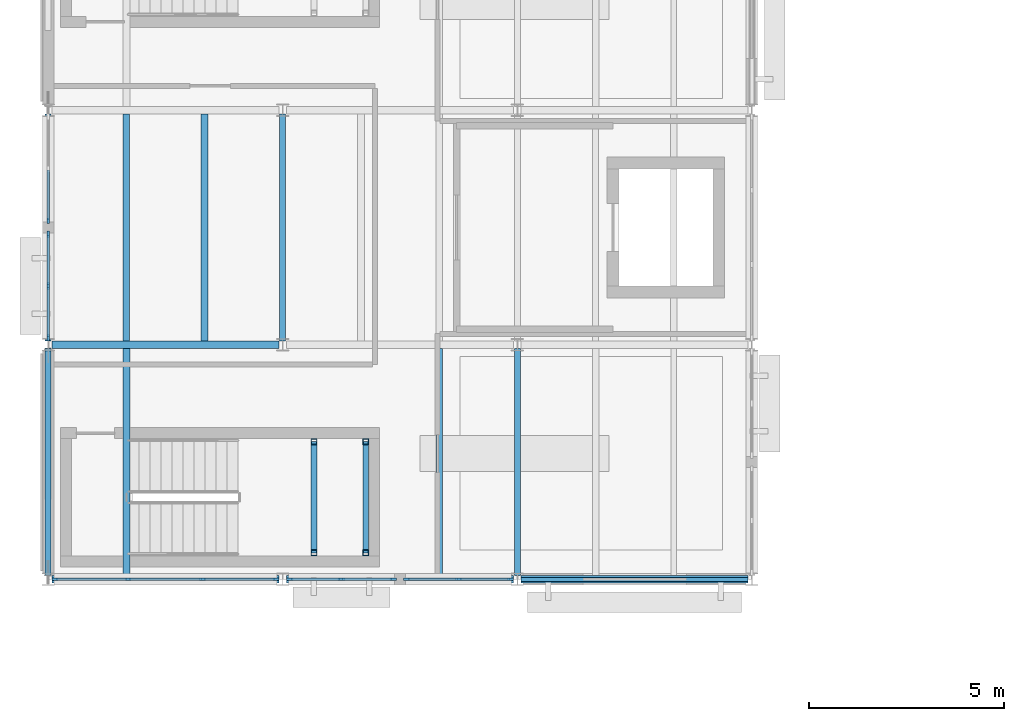
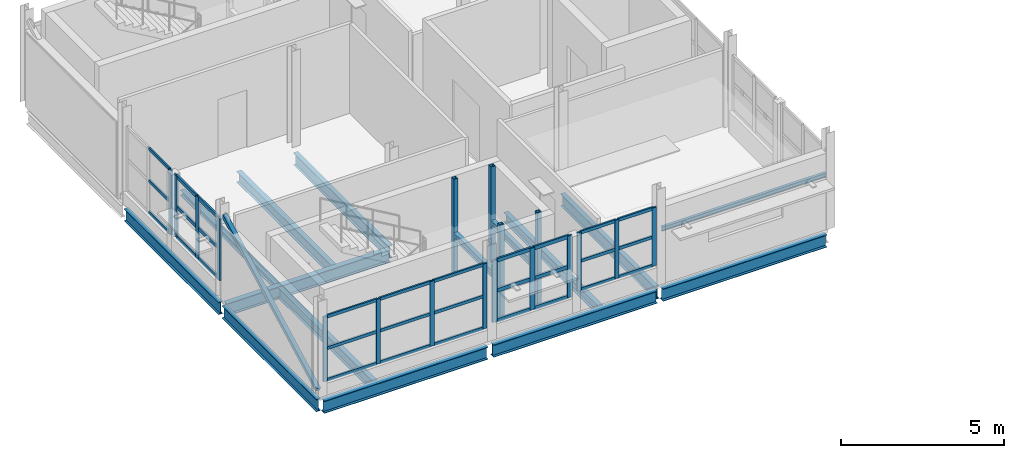
# One storey, part 3 of 20: 49 members, 15 beams, 5 elements without a shape of their own.
"""IFC4 building model written with IfcOpenShell, lengths in metres."""

from ifc_helpers import new_model, si_unit, direction, frame, origin, origin_2d, place, context, subcontext, project, spatial, rectangle, hollow_rectangle, i_section, extrude, material, material_profile, profile_set, type_object, element, aggregate, save


model = new_model("IFC4")

# Units and contexts
model_context = context("Model", 3, precision=1e-05, world=origin(), true_north=direction((0.0, 1.0)))
body_context = subcontext(model_context, "Body", "Model", "MODEL_VIEW")
ifc_project = project(units=[si_unit("LENGTHUNIT", "METRE"), si_unit("AREAUNIT", "SQUARE_METRE"), si_unit("VOLUMEUNIT", "CUBIC_METRE"), si_unit("PLANEANGLEUNIT", "RADIAN"), si_unit("MASSUNIT", "GRAM", prefix="KILO")], contexts=[model_context])

# Site, building, storey
site_placement = place(None, origin())
site = spatial("IfcSite", under=ifc_project, at=site_placement, CompositionType="ELEMENT")
building_placement = place(site_placement, origin())
building = spatial("IfcBuilding", under=site, at=building_placement, Name="Siltcreek Boulevard Central Fire Station", CompositionType="ELEMENT")
storey_placement = place(building_placement, frame((0.0, 0.0, 18.0)))
storey = spatial("IfcBuildingStorey", under=building, at=storey_placement, Name="L05", CompositionType="ELEMENT", Elevation=18.0)

# Beams
ifc_material_1 = material(Name="Structural steel ASTM A992 Gr50", Category="steel")
ifc_material_profile_1 = material_profile(ifc_material_1, i_section(OverallWidth=0.154052734375, OverallDepth=0.458984375, WebThickness=0.009033203125, FlangeThickness=0.015380859375, at=origin_2d()), Name="W460X68")
ifc_profile_set_1 = profile_set([ifc_material_profile_1], Name="Structural steel ASTM A992 Gr50")
beam_type_1 = type_object("IfcBeamType", Name="BM_W460X68", PredefinedType="BEAM", material=ifc_profile_set_1)
for number, where, z_axis, x_axis, name in (
    (1, (42.0, 94.300048828125, -0.469482421875), (0.0, 1.0, 0.0), (-1.0, 0.0, 0.0), "L05 primary steel girder GY-0606"),
    (2, (42.0, 100.300048828125, -0.469482421875), (0.0, 1.0, 0.0), (-1.0, 0.0, 0.0), "L05 primary steel girder GY-0607"),
    (3, (48.0, 100.300048828125, -0.469482421875), (0.0, 1.0, 0.0), (-1.0, 0.0, 0.0), "L05 primary steel girder GY-0609"),
    (4, (54.0, 94.300048828125, -0.469482421875), (0.0, 1.0, 0.0), (-1.0, 0.0, 0.0), "L05 primary steel girder GY-0610"),
):
    element("IfcBeam", number, at=place(storey_placement, frame(where, z_axis=z_axis, x_axis=x_axis)), inside=storey, type_object=beam_type_1, Name=name, PredefinedType="BEAM", context=body_context, shape_type="SweptSolid", body=[
        extrude(i_section(OverallWidth=0.154052734375, OverallDepth=0.458984375, WebThickness=0.009033203125, FlangeThickness=0.015380859375, at=origin_2d()), origin(), (0.0, 0.0, 1.0), 5.800048828125),
    ])
ifc_material_profile_2 = material_profile(ifc_material_1, i_section(OverallWidth=0.19189453125, OverallDepth=0.462890625, WebThickness=0.010498046875, FlangeThickness=0.017578125, at=origin_2d()), Name="W460X89")
ifc_profile_set_2 = profile_set([ifc_material_profile_2], Name="Structural steel ASTM A992 Gr50")
beam_type_2 = type_object("IfcBeamType", Name="BM_W460X89", PredefinedType="BEAM", material=ifc_profile_set_2)
for number, where, z_axis, x_axis, name in (
    (5, (42.10009765625, 94.199951171875, -0.471435546875), (1.0, 0.0, 0.0), (0.0, 1.0, 0.0), "L05 primary steel girder GX-0594"),
    (6, (48.10009765625, 94.199951171875, -0.471435546875), (1.0, 0.0, 0.0), (0.0, 1.0, 0.0), "L05 primary steel girder GX-0595"),
    (7, (54.10009765625, 94.199951171875, -0.471435546875), (1.0, 0.0, 0.0), (0.0, 1.0, 0.0), "L05 primary steel girder GX-0596"),
    (8, (42.10009765625, 100.199951171875, -0.471435546875), (1.0, 0.0, 0.0), (0.0, 1.0, 0.0), "L05 primary steel girder GX-0597"),
):
    element("IfcBeam", number, at=place(storey_placement, frame(where, z_axis=z_axis, x_axis=x_axis)), inside=storey, type_object=beam_type_2, Name=name, PredefinedType="BEAM", context=body_context, shape_type="SweptSolid", body=[
        extrude(i_section(OverallWidth=0.19189453125, OverallDepth=0.462890625, WebThickness=0.010498046875, FlangeThickness=0.017578125, at=origin_2d()), origin(), (0.0, 0.0, 1.0), 5.7998046875),
    ])

# Members
ifc_material_2 = material(Name="Structural steel ASTM A500 GrC", Category="steel")
ifc_material_profile_3 = material_profile(ifc_material_2, hollow_rectangle(XDim=0.14990234375, YDim=0.14990234375, WallThickness=0.008056640625, at=origin_2d()), Name="HSS150X150X8.0")
ifc_profile_set_3 = profile_set([ifc_material_profile_3], Name="Structural steel ASTM A500 GrC")
member_type_1 = type_object("IfcMemberType", Name="BR_HSS150_8", PredefinedType="BRACE", material=ifc_profile_set_3)
member_1_placement = place(storey_placement, frame((42.0, 94.320068359375, 0.10009765625), z_axis=(0.0, 0.883763313865, 0.467934188819), x_axis=(-1.0, 0.0, 0.0)))
element("IfcMember", 9, at=member_1_placement, inside=storey, type_object=member_type_1, Name="L05 SCBF concentrically braced frame BR-017", PredefinedType="BRACE", context=body_context, shape_type="SweptSolid", body=[
    extrude(hollow_rectangle(XDim=0.14990234375, YDim=0.14990234375, WallThickness=0.008056640625, at=origin_2d()), origin(), (0.0, 0.0, 1.0), 6.517578125),
])
for number, where, z_axis, x_axis, name in (
    (10, (48.800048828125, 94.8798828125, 0.0), (0.0, 0.0, 1.0), (1.0, 0.0, 0.0), "L05 ST-V3A stair landing corner post SW"),
    (11, (48.800048828125, 97.719970703125, 0.0), (0.0, 0.0, 1.0), (1.0, 0.0, 0.0), "L05 ST-V3A stair landing corner post NW"),
    (12, (50.1201171875, 94.8798828125, 0.0), (0.0, 0.0, 1.0), (1.0, 0.0, 0.0), "L05 ST-V3A stair landing corner post SE"),
    (13, (50.1201171875, 97.719970703125, 0.0), (0.0, 0.0, 1.0), (1.0, 0.0, 0.0), "L05 ST-V3A stair landing corner post NE"),
):
    element("IfcMember", number, at=place(storey_placement, frame(where, z_axis=z_axis, x_axis=x_axis)), inside=storey, type_object=member_type_1, Name=name, PredefinedType="BRACE", context=body_context, shape_type="SweptSolid", body=[
        extrude(hollow_rectangle(XDim=0.14990234375, YDim=0.14990234375, WallThickness=0.008056640625, at=origin_2d()), origin(), (0.0, 0.0, 1.0), 3.60009765625),
    ])

# Curtain wall, members
ifc_material_3 = material(Name="Anodized aluminum and low-E insulated glazing", Category="aluminium")
curtain_wall_type_1 = type_object("IfcCurtainWallType", Name="CW_SYS_08", PredefinedType="USERDEFINED", material=ifc_material_3)
curtain_wall_1_placement = place(storey_placement, origin())
curtain_wall_1 = element("IfcCurtainWall", 14, at=curtain_wall_1_placement, inside=storey, type_object=curtain_wall_type_1, Name="L05 V3 unitised curtain wall CW-067", ObjectType="CURTAIN WALL", PredefinedType="USERDEFINED")
ifc_material_4 = material(Name="Anodized 6063-T6 aluminum framing", Category="aluminium")
ifc_material_profile_4 = material_profile(ifc_material_4, rectangle(XDim=0.06005859375, YDim=0.14990234375, at=origin_2d()), Name="MULL60X150")
ifc_profile_set_4 = profile_set([ifc_material_profile_4], Name="Anodized 6063-T6 aluminum framing")
member_type_2 = type_object("IfcMemberType", Name="CWM_60X150", PredefinedType="MULLION", material=ifc_profile_set_4)
member_2_placement = place(storey_placement, frame((42.175048828125, 94.199951171875, 0.43994140625), z_axis=(0.0, 0.0, 1.0), x_axis=(0.0, 1.0, 0.0)))
member_2 = element("IfcMember", 15, at=member_2_placement, type_object=member_type_2, Name="CW-067 mullion 1", PredefinedType="MULLION", context=body_context, shape_type="SweptSolid", body=[
    extrude(rectangle(XDim=0.06005859375, YDim=0.14990234375, at=origin_2d()), origin(), (0.0, 0.0, 1.0), 2.428955078125),
])
member_3_placement = place(storey_placement, frame((44.04833984375, 94.199951171875, 0.43994140625), z_axis=(0.0, 0.0, 1.0), x_axis=(0.0, 1.0, 0.0)))
member_3 = element("IfcMember", 16, at=member_3_placement, type_object=member_type_2, Name="CW-067 mullion 2", PredefinedType="MULLION", context=body_context, shape_type="SweptSolid", body=[
    extrude(rectangle(XDim=0.06005859375, YDim=0.14990234375, at=origin_2d()), origin(), (0.0, 0.0, 1.0), 2.428955078125),
])
member_4_placement = place(storey_placement, frame((45.95166015625, 94.199951171875, 0.43994140625), z_axis=(0.0, 0.0, 1.0), x_axis=(0.0, 1.0, 0.0)))
member_4 = element("IfcMember", 17, at=member_4_placement, type_object=member_type_2, Name="CW-067 mullion 3", PredefinedType="MULLION", context=body_context, shape_type="SweptSolid", body=[
    extrude(rectangle(XDim=0.06005859375, YDim=0.14990234375, at=origin_2d()), origin(), (0.0, 0.0, 1.0), 2.428955078125),
])
member_5_placement = place(storey_placement, frame((47.824951171875, 94.199951171875, 0.43994140625), z_axis=(0.0, 0.0, 1.0), x_axis=(0.0, 1.0, 0.0)))
member_5 = element("IfcMember", 18, at=member_5_placement, type_object=member_type_2, Name="CW-067 mullion 4", PredefinedType="MULLION", context=body_context, shape_type="SweptSolid", body=[
    extrude(rectangle(XDim=0.06005859375, YDim=0.14990234375, at=origin_2d()), origin(), (0.0, 0.0, 1.0), 2.428955078125),
])

curtain_wall_type_2 = type_object("IfcCurtainWallType", Name="CW_SYS_10", PredefinedType="USERDEFINED", material=ifc_material_3)
curtain_wall_2_placement = place(storey_placement, origin())
curtain_wall_2 = element("IfcCurtainWall", 19, at=curtain_wall_2_placement, inside=storey, type_object=curtain_wall_type_2, Name="L05 V3 unitised curtain wall CW-069", ObjectType="CURTAIN WALL", PredefinedType="USERDEFINED")
member_6_placement = place(storey_placement, frame((51.169921875, 94.199951171875, 0.679931640625), z_axis=(0.0, 0.0, 1.0), x_axis=(0.0, 1.0, 0.0)))
member_6 = element("IfcMember", 20, at=member_6_placement, type_object=member_type_2, Name="CW-069 mullion 1", PredefinedType="MULLION", context=body_context, shape_type="SweptSolid", body=[
    extrude(rectangle(XDim=0.06005859375, YDim=0.14990234375, at=origin_2d()), origin(), (0.0, 0.0, 1.0), 2.18896484375),
])
member_7_placement = place(storey_placement, frame((52.49755859375, 94.199951171875, 0.679931640625), z_axis=(0.0, 0.0, 1.0), x_axis=(0.0, 1.0, 0.0)))
member_7 = element("IfcMember", 21, at=member_7_placement, type_object=member_type_2, Name="CW-069 mullion 2", PredefinedType="MULLION", context=body_context, shape_type="SweptSolid", body=[
    extrude(rectangle(XDim=0.06005859375, YDim=0.14990234375, at=origin_2d()), origin(), (0.0, 0.0, 1.0), 2.18896484375),
])
member_8_placement = place(storey_placement, frame((53.824951171875, 94.199951171875, 0.679931640625), z_axis=(0.0, 0.0, 1.0), x_axis=(0.0, 1.0, 0.0)))
member_8 = element("IfcMember", 22, at=member_8_placement, type_object=member_type_2, Name="CW-069 mullion 3", PredefinedType="MULLION", context=body_context, shape_type="SweptSolid", body=[
    extrude(rectangle(XDim=0.06005859375, YDim=0.14990234375, at=origin_2d()), origin(), (0.0, 0.0, 1.0), 2.18896484375),
])

# Curtain wall, member
curtain_wall_type_3 = type_object("IfcCurtainWallType", Name="CW_SYS_14", PredefinedType="USERDEFINED", material=ifc_material_3)
curtain_wall_3_placement = place(storey_placement, origin())
curtain_wall_3 = element("IfcCurtainWall", 23, at=curtain_wall_3_placement, inside=storey, type_object=curtain_wall_type_3, Name="L05 V3 unitised curtain wall CW-073", ObjectType="CURTAIN WALL", PredefinedType="USERDEFINED")
member_9_placement = place(storey_placement, frame((42.0, 103.3701171875, 0.43994140625), z_axis=(0.0, 0.0, 1.0), x_axis=(1.0, 0.0, 0.0)))
member_9 = element("IfcMember", 24, at=member_9_placement, type_object=member_type_2, Name="CW-073 mullion 3", PredefinedType="MULLION", context=body_context, shape_type="SweptSolid", body=[
    extrude(rectangle(XDim=0.06005859375, YDim=0.14990234375, at=origin_2d()), origin(), (0.0, 0.0, 1.0), 2.43310546875),
])

# Curtain wall, members
curtain_wall_type_4 = type_object("IfcCurtainWallType", Name="CW_SYS_09", PredefinedType="USERDEFINED", material=ifc_material_3)
curtain_wall_4_placement = place(storey_placement, origin())
curtain_wall_4 = element("IfcCurtainWall", 25, at=curtain_wall_4_placement, inside=storey, type_object=curtain_wall_type_4, Name="L05 V3 unitised curtain wall CW-068", ObjectType="CURTAIN WALL", PredefinedType="USERDEFINED")
ifc_material_profile_5 = material_profile(ifc_material_4, rectangle(XDim=0.06494140625, YDim=0.175048828125, at=origin_2d()), Name="MULL65X175")
ifc_profile_set_5 = profile_set([ifc_material_profile_5], Name="Anodized 6063-T6 aluminum framing")
member_type_3 = type_object("IfcMemberType", Name="CWM_65X175", PredefinedType="MULLION", material=ifc_profile_set_5)
member_10_placement = place(storey_placement, frame((48.177490234375, 94.199951171875, 0.56005859375), z_axis=(0.0, 0.0, 1.0), x_axis=(0.0, 1.0, 0.0)))
member_10 = element("IfcMember", 26, at=member_10_placement, type_object=member_type_3, Name="CW-068 mullion 1", PredefinedType="MULLION", context=body_context, shape_type="SweptSolid", body=[
    extrude(rectangle(XDim=0.06494140625, YDim=0.175048828125, at=origin_2d()), origin(), (0.0, 0.0, 1.0), 2.308837890625),
])
member_11_placement = place(storey_placement, frame((49.50244140625, 94.199951171875, 0.56005859375), z_axis=(0.0, 0.0, 1.0), x_axis=(0.0, 1.0, 0.0)))
member_11 = element("IfcMember", 27, at=member_11_placement, type_object=member_type_3, Name="CW-068 mullion 2", PredefinedType="MULLION", context=body_context, shape_type="SweptSolid", body=[
    extrude(rectangle(XDim=0.06494140625, YDim=0.175048828125, at=origin_2d()), origin(), (0.0, 0.0, 1.0), 2.308837890625),
])
member_12_placement = place(storey_placement, frame((50.827392578125, 94.199951171875, 0.56005859375), z_axis=(0.0, 0.0, 1.0), x_axis=(0.0, 1.0, 0.0)))
member_12 = element("IfcMember", 28, at=member_12_placement, type_object=member_type_3, Name="CW-068 mullion 3", PredefinedType="MULLION", context=body_context, shape_type="SweptSolid", body=[
    extrude(rectangle(XDim=0.06494140625, YDim=0.175048828125, at=origin_2d()), origin(), (0.0, 0.0, 1.0), 2.308837890625),
])

curtain_wall_type_5 = type_object("IfcCurtainWallType", Name="CW_SYS_15", PredefinedType="USERDEFINED", material=ifc_material_3)
curtain_wall_5_placement = place(storey_placement, origin())
curtain_wall_5 = element("IfcCurtainWall", 29, at=curtain_wall_5_placement, inside=storey, type_object=curtain_wall_type_5, Name="L05 V3 unitised curtain wall CW-074", ObjectType="CURTAIN WALL", PredefinedType="USERDEFINED")
member_13_placement = place(storey_placement, frame((42.0, 103.027587890625, 0.56005859375), z_axis=(0.0, 0.0, 1.0), x_axis=(1.0, 0.0, 0.0)))
member_13 = element("IfcMember", 30, at=member_13_placement, type_object=member_type_3, Name="CW-074 mullion 1", PredefinedType="MULLION", context=body_context, shape_type="SweptSolid", body=[
    extrude(rectangle(XDim=0.06494140625, YDim=0.175048828125, at=origin_2d()), origin(), (0.0, 0.0, 1.0), 2.31298828125),
])
member_14_placement = place(storey_placement, frame((42.0, 101.702392578125, 0.56005859375), z_axis=(0.0, 0.0, 1.0), x_axis=(1.0, 0.0, 0.0)))
member_14 = element("IfcMember", 31, at=member_14_placement, type_object=member_type_3, Name="CW-074 mullion 2", PredefinedType="MULLION", context=body_context, shape_type="SweptSolid", body=[
    extrude(rectangle(XDim=0.06494140625, YDim=0.175048828125, at=origin_2d()), origin(), (0.0, 0.0, 1.0), 2.31298828125),
])
member_15_placement = place(storey_placement, frame((42.0, 100.37744140625, 0.56005859375), z_axis=(0.0, 0.0, 1.0), x_axis=(1.0, 0.0, 0.0)))
member_15 = element("IfcMember", 32, at=member_15_placement, type_object=member_type_3, Name="CW-074 mullion 3", PredefinedType="MULLION", context=body_context, shape_type="SweptSolid", body=[
    extrude(rectangle(XDim=0.06494140625, YDim=0.175048828125, at=origin_2d()), origin(), (0.0, 0.0, 1.0), 2.31298828125),
])

# Member
ifc_material_profile_6 = material_profile(ifc_material_4, rectangle(XDim=0.06005859375, YDim=0.114990234375, at=origin_2d()), Name="TRAN60X115")
ifc_profile_set_6 = profile_set([ifc_material_profile_6], Name="Anodized 6063-T6 aluminum framing")
member_type_4 = type_object("IfcMemberType", Name="CWT_60X115", PredefinedType="USERDEFINED", material=ifc_profile_set_6)
member_16_placement = place(storey_placement, frame((42.205078125, 94.199951171875, 0.469970703125), z_axis=(1.0, 0.0, 0.0), x_axis=(0.0, 1.0, 0.0)))
member_16 = element("IfcMember", 33, at=member_16_placement, type_object=member_type_4, Name="CW-067 transom 1.1", ObjectType="TRANSOM", PredefinedType="USERDEFINED", context=body_context, shape_type="SweptSolid", body=[
    extrude(rectangle(XDim=0.06005859375, YDim=0.114990234375, at=origin_2d()), origin(), (0.0, 0.0, 1.0), 1.813232421875),
])

member_17_placement = place(storey_placement, frame((42.205078125, 94.199951171875, 1.654541015625), z_axis=(1.0, 0.0, 0.0), x_axis=(0.0, 1.0, 0.0)))
member_17 = element("IfcMember", 34, at=member_17_placement, type_object=member_type_4, Name="CW-067 transom 1.2", ObjectType="TRANSOM", PredefinedType="USERDEFINED", context=body_context, shape_type="SweptSolid", body=[
    extrude(rectangle(XDim=0.06005859375, YDim=0.114990234375, at=origin_2d()), origin(), (0.0, 0.0, 1.0), 1.813232421875),
])

member_18_placement = place(storey_placement, frame((42.205078125, 94.199951171875, 2.839111328125), z_axis=(1.0, 0.0, 0.0), x_axis=(0.0, 1.0, 0.0)))
member_18 = element("IfcMember", 35, at=member_18_placement, type_object=member_type_4, Name="CW-067 transom 1.3", ObjectType="TRANSOM", PredefinedType="USERDEFINED", context=body_context, shape_type="SweptSolid", body=[
    extrude(rectangle(XDim=0.06005859375, YDim=0.114990234375, at=origin_2d()), origin(), (0.0, 0.0, 1.0), 1.813232421875),
])

member_19_placement = place(storey_placement, frame((44.078369140625, 94.199951171875, 0.469970703125), z_axis=(1.0, 0.0, 0.0), x_axis=(0.0, 1.0, 0.0)))
member_19 = element("IfcMember", 36, at=member_19_placement, type_object=member_type_4, Name="CW-067 transom 2.1", ObjectType="TRANSOM", PredefinedType="USERDEFINED", context=body_context, shape_type="SweptSolid", body=[
    extrude(rectangle(XDim=0.06005859375, YDim=0.114990234375, at=origin_2d()), origin(), (0.0, 0.0, 1.0), 1.84326171875),
])

member_20_placement = place(storey_placement, frame((44.078369140625, 94.199951171875, 1.654541015625), z_axis=(1.0, 0.0, 0.0), x_axis=(0.0, 1.0, 0.0)))
member_20 = element("IfcMember", 37, at=member_20_placement, type_object=member_type_4, Name="CW-067 transom 2.2", ObjectType="TRANSOM", PredefinedType="USERDEFINED", context=body_context, shape_type="SweptSolid", body=[
    extrude(rectangle(XDim=0.06005859375, YDim=0.114990234375, at=origin_2d()), origin(), (0.0, 0.0, 1.0), 1.84326171875),
])

member_21_placement = place(storey_placement, frame((44.078369140625, 94.199951171875, 2.839111328125), z_axis=(1.0, 0.0, 0.0), x_axis=(0.0, 1.0, 0.0)))
member_21 = element("IfcMember", 38, at=member_21_placement, type_object=member_type_4, Name="CW-067 transom 2.3", ObjectType="TRANSOM", PredefinedType="USERDEFINED", context=body_context, shape_type="SweptSolid", body=[
    extrude(rectangle(XDim=0.06005859375, YDim=0.114990234375, at=origin_2d()), origin(), (0.0, 0.0, 1.0), 1.84326171875),
])

member_22_placement = place(storey_placement, frame((45.981689453125, 94.199951171875, 0.469970703125), z_axis=(1.0, 0.0, 0.0), x_axis=(0.0, 1.0, 0.0)))
member_22 = element("IfcMember", 39, at=member_22_placement, type_object=member_type_4, Name="CW-067 transom 3.1", ObjectType="TRANSOM", PredefinedType="USERDEFINED", context=body_context, shape_type="SweptSolid", body=[
    extrude(rectangle(XDim=0.06005859375, YDim=0.114990234375, at=origin_2d()), origin(), (0.0, 0.0, 1.0), 1.813232421875),
])

member_23_placement = place(storey_placement, frame((45.981689453125, 94.199951171875, 1.654541015625), z_axis=(1.0, 0.0, 0.0), x_axis=(0.0, 1.0, 0.0)))
member_23 = element("IfcMember", 40, at=member_23_placement, type_object=member_type_4, Name="CW-067 transom 3.2", ObjectType="TRANSOM", PredefinedType="USERDEFINED", context=body_context, shape_type="SweptSolid", body=[
    extrude(rectangle(XDim=0.06005859375, YDim=0.114990234375, at=origin_2d()), origin(), (0.0, 0.0, 1.0), 1.813232421875),
])

member_24_placement = place(storey_placement, frame((45.981689453125, 94.199951171875, 2.839111328125), z_axis=(1.0, 0.0, 0.0), x_axis=(0.0, 1.0, 0.0)))
member_24 = element("IfcMember", 41, at=member_24_placement, type_object=member_type_4, Name="CW-067 transom 3.3", ObjectType="TRANSOM", PredefinedType="USERDEFINED", context=body_context, shape_type="SweptSolid", body=[
    extrude(rectangle(XDim=0.06005859375, YDim=0.114990234375, at=origin_2d()), origin(), (0.0, 0.0, 1.0), 1.813232421875),
])

aggregate(curtain_wall_1, [member_2, member_3, member_4, member_5, member_16, member_17, member_18, member_19, member_20, member_21, member_22, member_23, member_24])

member_25_placement = place(storey_placement, frame((51.199951171875, 94.199951171875, 0.7099609375), z_axis=(1.0, 0.0, 0.0), x_axis=(0.0, 1.0, 0.0)))
member_25 = element("IfcMember", 42, at=member_25_placement, type_object=member_type_4, Name="CW-069 transom 1.1", ObjectType="TRANSOM", PredefinedType="USERDEFINED", context=body_context, shape_type="SweptSolid", body=[
    extrude(rectangle(XDim=0.06005859375, YDim=0.114990234375, at=origin_2d()), origin(), (0.0, 0.0, 1.0), 1.267578125),
])

member_26_placement = place(storey_placement, frame((51.199951171875, 94.199951171875, 1.7744140625), z_axis=(1.0, 0.0, 0.0), x_axis=(0.0, 1.0, 0.0)))
member_26 = element("IfcMember", 43, at=member_26_placement, type_object=member_type_4, Name="CW-069 transom 1.2", ObjectType="TRANSOM", PredefinedType="USERDEFINED", context=body_context, shape_type="SweptSolid", body=[
    extrude(rectangle(XDim=0.06005859375, YDim=0.114990234375, at=origin_2d()), origin(), (0.0, 0.0, 1.0), 1.267578125),
])

member_27_placement = place(storey_placement, frame((51.199951171875, 94.199951171875, 2.839111328125), z_axis=(1.0, 0.0, 0.0), x_axis=(0.0, 1.0, 0.0)))
member_27 = element("IfcMember", 44, at=member_27_placement, type_object=member_type_4, Name="CW-069 transom 1.3", ObjectType="TRANSOM", PredefinedType="USERDEFINED", context=body_context, shape_type="SweptSolid", body=[
    extrude(rectangle(XDim=0.06005859375, YDim=0.114990234375, at=origin_2d()), origin(), (0.0, 0.0, 1.0), 1.267578125),
])

member_28_placement = place(storey_placement, frame((52.527587890625, 94.199951171875, 0.7099609375), z_axis=(1.0, 0.0, 0.0), x_axis=(0.0, 1.0, 0.0)))
member_28 = element("IfcMember", 45, at=member_28_placement, type_object=member_type_4, Name="CW-069 transom 2.1", ObjectType="TRANSOM", PredefinedType="USERDEFINED", context=body_context, shape_type="SweptSolid", body=[
    extrude(rectangle(XDim=0.06005859375, YDim=0.114990234375, at=origin_2d()), origin(), (0.0, 0.0, 1.0), 1.267333984375),
])

member_29_placement = place(storey_placement, frame((52.527587890625, 94.199951171875, 1.7744140625), z_axis=(1.0, 0.0, 0.0), x_axis=(0.0, 1.0, 0.0)))
member_29 = element("IfcMember", 46, at=member_29_placement, type_object=member_type_4, Name="CW-069 transom 2.2", ObjectType="TRANSOM", PredefinedType="USERDEFINED", context=body_context, shape_type="SweptSolid", body=[
    extrude(rectangle(XDim=0.06005859375, YDim=0.114990234375, at=origin_2d()), origin(), (0.0, 0.0, 1.0), 1.267333984375),
])

member_30_placement = place(storey_placement, frame((52.527587890625, 94.199951171875, 2.839111328125), z_axis=(1.0, 0.0, 0.0), x_axis=(0.0, 1.0, 0.0)))
member_30 = element("IfcMember", 47, at=member_30_placement, type_object=member_type_4, Name="CW-069 transom 2.3", ObjectType="TRANSOM", PredefinedType="USERDEFINED", context=body_context, shape_type="SweptSolid", body=[
    extrude(rectangle(XDim=0.06005859375, YDim=0.114990234375, at=origin_2d()), origin(), (0.0, 0.0, 1.0), 1.267333984375),
])

aggregate(curtain_wall_2, [member_6, member_7, member_8, member_25, member_26, member_27, member_28, member_29, member_30])

member_31_placement = place(storey_placement, frame((42.0, 104.66748046875, 0.469970703125), z_axis=(0.0, -1.0, 0.0), x_axis=(1.0, 0.0, 0.0)))
member_31 = element("IfcMember", 48, at=member_31_placement, type_object=member_type_4, Name="CW-073 transom 2.1", ObjectType="TRANSOM", PredefinedType="USERDEFINED", context=body_context, shape_type="SweptSolid", body=[
    extrude(rectangle(XDim=0.06005859375, YDim=0.114990234375, at=origin_2d()), origin(), (0.0, 0.0, 1.0), 1.267578125),
])

member_32_placement = place(storey_placement, frame((42.0, 104.66748046875, 1.656494140625), z_axis=(0.0, -1.0, 0.0), x_axis=(1.0, 0.0, 0.0)))
member_32 = element("IfcMember", 49, at=member_32_placement, type_object=member_type_4, Name="CW-073 transom 2.2", ObjectType="TRANSOM", PredefinedType="USERDEFINED", context=body_context, shape_type="SweptSolid", body=[
    extrude(rectangle(XDim=0.06005859375, YDim=0.114990234375, at=origin_2d()), origin(), (0.0, 0.0, 1.0), 1.267578125),
])

member_33_placement = place(storey_placement, frame((42.0, 104.66748046875, 2.843017578125), z_axis=(0.0, -1.0, 0.0), x_axis=(1.0, 0.0, 0.0)))
member_33 = element("IfcMember", 50, at=member_33_placement, type_object=member_type_4, Name="CW-073 transom 2.3", ObjectType="TRANSOM", PredefinedType="USERDEFINED", context=body_context, shape_type="SweptSolid", body=[
    extrude(rectangle(XDim=0.06005859375, YDim=0.114990234375, at=origin_2d()), origin(), (0.0, 0.0, 1.0), 1.267578125),
])

aggregate(curtain_wall_3, [member_9, member_31, member_32, member_33])

ifc_material_profile_7 = material_profile(ifc_material_4, rectangle(XDim=0.06494140625, YDim=0.135009765625, at=origin_2d()), Name="TRAN65X135")
ifc_profile_set_7 = profile_set([ifc_material_profile_7], Name="Anodized 6063-T6 aluminum framing")
member_type_5 = type_object("IfcMemberType", Name="CWT_65X135", PredefinedType="USERDEFINED", material=ifc_profile_set_7)
member_34_placement = place(storey_placement, frame((48.2099609375, 94.199951171875, 0.592529296875), z_axis=(1.0, 0.0, 0.0), x_axis=(0.0, 1.0, 0.0)))
member_34 = element("IfcMember", 51, at=member_34_placement, type_object=member_type_5, Name="CW-068 transom 1.1", ObjectType="TRANSOM", PredefinedType="USERDEFINED", context=body_context, shape_type="SweptSolid", body=[
    extrude(rectangle(XDim=0.06494140625, YDim=0.135009765625, at=origin_2d()), origin(), (0.0, 0.0, 1.0), 1.260009765625),
])

member_35_placement = place(storey_placement, frame((48.2099609375, 94.199951171875, 1.714599609375), z_axis=(1.0, 0.0, 0.0), x_axis=(0.0, 1.0, 0.0)))
member_35 = element("IfcMember", 52, at=member_35_placement, type_object=member_type_5, Name="CW-068 transom 1.2", ObjectType="TRANSOM", PredefinedType="USERDEFINED", context=body_context, shape_type="SweptSolid", body=[
    extrude(rectangle(XDim=0.06494140625, YDim=0.135009765625, at=origin_2d()), origin(), (0.0, 0.0, 1.0), 1.260009765625),
])

member_36_placement = place(storey_placement, frame((48.2099609375, 94.199951171875, 2.83642578125), z_axis=(1.0, 0.0, 0.0), x_axis=(0.0, 1.0, 0.0)))
member_36 = element("IfcMember", 53, at=member_36_placement, type_object=member_type_5, Name="CW-068 transom 1.3", ObjectType="TRANSOM", PredefinedType="USERDEFINED", context=body_context, shape_type="SweptSolid", body=[
    extrude(rectangle(XDim=0.06494140625, YDim=0.135009765625, at=origin_2d()), origin(), (0.0, 0.0, 1.0), 1.260009765625),
])

member_37_placement = place(storey_placement, frame((49.534912109375, 94.199951171875, 0.592529296875), z_axis=(1.0, 0.0, 0.0), x_axis=(0.0, 1.0, 0.0)))
member_37 = element("IfcMember", 54, at=member_37_placement, type_object=member_type_5, Name="CW-068 transom 2.1", ObjectType="TRANSOM", PredefinedType="USERDEFINED", context=body_context, shape_type="SweptSolid", body=[
    extrude(rectangle(XDim=0.06494140625, YDim=0.135009765625, at=origin_2d()), origin(), (0.0, 0.0, 1.0), 1.260009765625),
])

member_38_placement = place(storey_placement, frame((49.534912109375, 94.199951171875, 1.714599609375), z_axis=(1.0, 0.0, 0.0), x_axis=(0.0, 1.0, 0.0)))
member_38 = element("IfcMember", 55, at=member_38_placement, type_object=member_type_5, Name="CW-068 transom 2.2", ObjectType="TRANSOM", PredefinedType="USERDEFINED", context=body_context, shape_type="SweptSolid", body=[
    extrude(rectangle(XDim=0.06494140625, YDim=0.135009765625, at=origin_2d()), origin(), (0.0, 0.0, 1.0), 1.260009765625),
])

member_39_placement = place(storey_placement, frame((49.534912109375, 94.199951171875, 2.83642578125), z_axis=(1.0, 0.0, 0.0), x_axis=(0.0, 1.0, 0.0)))
member_39 = element("IfcMember", 56, at=member_39_placement, type_object=member_type_5, Name="CW-068 transom 2.3", ObjectType="TRANSOM", PredefinedType="USERDEFINED", context=body_context, shape_type="SweptSolid", body=[
    extrude(rectangle(XDim=0.06494140625, YDim=0.135009765625, at=origin_2d()), origin(), (0.0, 0.0, 1.0), 1.260009765625),
])

aggregate(curtain_wall_4, [member_10, member_11, member_12, member_34, member_35, member_36, member_37, member_38, member_39])

member_40_placement = place(storey_placement, frame((42.0, 102.9951171875, 0.592529296875), z_axis=(0.0, -1.0, 0.0), x_axis=(1.0, 0.0, 0.0)))
member_40 = element("IfcMember", 57, at=member_40_placement, type_object=member_type_5, Name="CW-074 transom 1.1", ObjectType="TRANSOM", PredefinedType="USERDEFINED", context=body_context, shape_type="SweptSolid", body=[
    extrude(rectangle(XDim=0.06494140625, YDim=0.135009765625, at=origin_2d()), origin(), (0.0, 0.0, 1.0), 1.260009765625),
])

member_41_placement = place(storey_placement, frame((42.0, 102.9951171875, 1.716552734375), z_axis=(0.0, -1.0, 0.0), x_axis=(1.0, 0.0, 0.0)))
member_41 = element("IfcMember", 58, at=member_41_placement, type_object=member_type_5, Name="CW-074 transom 1.2", ObjectType="TRANSOM", PredefinedType="USERDEFINED", context=body_context, shape_type="SweptSolid", body=[
    extrude(rectangle(XDim=0.06494140625, YDim=0.135009765625, at=origin_2d()), origin(), (0.0, 0.0, 1.0), 1.260009765625),
])

member_42_placement = place(storey_placement, frame((42.0, 102.9951171875, 2.840576171875), z_axis=(0.0, -1.0, 0.0), x_axis=(1.0, 0.0, 0.0)))
member_42 = element("IfcMember", 59, at=member_42_placement, type_object=member_type_5, Name="CW-074 transom 1.3", ObjectType="TRANSOM", PredefinedType="USERDEFINED", context=body_context, shape_type="SweptSolid", body=[
    extrude(rectangle(XDim=0.06494140625, YDim=0.135009765625, at=origin_2d()), origin(), (0.0, 0.0, 1.0), 1.260009765625),
])

member_43_placement = place(storey_placement, frame((42.0, 101.669921875, 0.592529296875), z_axis=(0.0, -1.0, 0.0), x_axis=(1.0, 0.0, 0.0)))
member_43 = element("IfcMember", 60, at=member_43_placement, type_object=member_type_5, Name="CW-074 transom 2.1", ObjectType="TRANSOM", PredefinedType="USERDEFINED", context=body_context, shape_type="SweptSolid", body=[
    extrude(rectangle(XDim=0.06494140625, YDim=0.135009765625, at=origin_2d()), origin(), (0.0, 0.0, 1.0), 1.260009765625),
])

member_44_placement = place(storey_placement, frame((42.0, 101.669921875, 1.716552734375), z_axis=(0.0, -1.0, 0.0), x_axis=(1.0, 0.0, 0.0)))
member_44 = element("IfcMember", 61, at=member_44_placement, type_object=member_type_5, Name="CW-074 transom 2.2", ObjectType="TRANSOM", PredefinedType="USERDEFINED", context=body_context, shape_type="SweptSolid", body=[
    extrude(rectangle(XDim=0.06494140625, YDim=0.135009765625, at=origin_2d()), origin(), (0.0, 0.0, 1.0), 1.260009765625),
])

member_45_placement = place(storey_placement, frame((42.0, 101.669921875, 2.840576171875), z_axis=(0.0, -1.0, 0.0), x_axis=(1.0, 0.0, 0.0)))
member_45 = element("IfcMember", 62, at=member_45_placement, type_object=member_type_5, Name="CW-074 transom 2.3", ObjectType="TRANSOM", PredefinedType="USERDEFINED", context=body_context, shape_type="SweptSolid", body=[
    extrude(rectangle(XDim=0.06494140625, YDim=0.135009765625, at=origin_2d()), origin(), (0.0, 0.0, 1.0), 1.260009765625),
])

aggregate(curtain_wall_5, [member_13, member_14, member_15, member_40, member_41, member_42, member_43, member_44, member_45])

# Beams
ifc_material_profile_8 = material_profile(ifc_material_1, i_section(OverallWidth=0.1650390625, OverallDepth=0.200927734375, WebThickness=0.006103515625, FlangeThickness=0.01025390625, at=origin_2d()), Name="W200X36")
ifc_profile_set_8 = profile_set([ifc_material_profile_8], Name="Structural steel ASTM A992 Gr50")
beam_type_3 = type_object("IfcBeamType", Name="JST_W200X36", PredefinedType="JOIST", material=ifc_profile_set_8)
beam_1_placement = place(storey_placement, frame((44.0, 100.2939453125, -0.340576171875), z_axis=(0.0, 1.0, 0.0), x_axis=(-1.0, 0.0, 0.0)))
element("IfcBeam", 63, at=beam_1_placement, inside=storey, type_object=beam_type_3, Name="L05 secondary steel floor joist 0509", PredefinedType="JOIST", context=body_context, shape_type="SweptSolid", body=[
    extrude(i_section(OverallWidth=0.1650390625, OverallDepth=0.200927734375, WebThickness=0.006103515625, FlangeThickness=0.01025390625, at=origin_2d()), origin(), (0.0, 0.0, 1.0), 5.81201171875),
])
ifc_material_profile_9 = material_profile(ifc_material_1, i_section(OverallWidth=0.14697265625, OverallDepth=0.261962890625, WebThickness=0.006591796875, FlangeThickness=0.01123046875, at=origin_2d()), Name="W250X39")
ifc_profile_set_9 = profile_set([ifc_material_profile_9], Name="Structural steel ASTM A992 Gr50")
beam_type_4 = type_object("IfcBeamType", Name="JST_W250X39", PredefinedType="JOIST", material=ifc_profile_set_9)
for number, where, z_axis, x_axis, name in (
    (64, (48.800048828125, 94.8798828125, 1.468994140625), (0.0, 1.0, 0.0), (-1.0, 0.0, 0.0), "L05 ST-V3A stair landing bearer MIDW"),
    (65, (50.1201171875, 94.8798828125, 1.468994140625), (0.0, 1.0, 0.0), (-1.0, 0.0, 0.0), "L05 ST-V3A stair landing bearer MIDE"),
):
    element("IfcBeam", number, at=place(storey_placement, frame(where, z_axis=z_axis, x_axis=x_axis)), inside=storey, type_object=beam_type_4, Name=name, PredefinedType="JOIST", context=body_context, shape_type="SweptSolid", body=[
        extrude(i_section(OverallWidth=0.14697265625, OverallDepth=0.261962890625, WebThickness=0.006591796875, FlangeThickness=0.01123046875, at=origin_2d()), origin(), (0.0, 0.0, 1.0), 2.840087890625),
    ])
ifc_material_profile_10 = material_profile(ifc_material_1, i_section(OverallWidth=0.172119140625, OverallDepth=0.35791015625, WebThickness=0.0078125, FlangeThickness=0.01318359375, at=origin_2d()), Name="W360X57")
ifc_profile_set_10 = profile_set([ifc_material_profile_10], Name="Structural steel ASTM A992 Gr50")
beam_type_5 = type_object("IfcBeamType", Name="JST_W360X57", PredefinedType="JOIST", material=ifc_profile_set_10)
beam_2_placement = place(storey_placement, frame((52.0, 94.2939453125, -0.4189453125), z_axis=(0.0, 1.0, 0.0), x_axis=(-1.0, 0.0, 0.0)))
element("IfcBeam", 66, at=beam_2_placement, inside=storey, type_object=beam_type_5, Name="L05 secondary steel floor joist 0506", PredefinedType="JOIST", context=body_context, shape_type="SweptSolid", body=[
    extrude(i_section(OverallWidth=0.172119140625, OverallDepth=0.35791015625, WebThickness=0.0078125, FlangeThickness=0.01318359375, at=origin_2d()), origin(), (0.0, 0.0, 1.0), 5.81201171875),
])
ifc_material_profile_11 = material_profile(ifc_material_1, i_section(OverallWidth=0.177001953125, OverallDepth=0.403076171875, WebThickness=0.007568359375, FlangeThickness=0.010986328125, at=origin_2d()), Name="W410X53")
ifc_profile_set_11 = profile_set([ifc_material_profile_11], Name="Structural steel ASTM A992 Gr50")
beam_type_6 = type_object("IfcBeamType", Name="JST_W410X53", PredefinedType="JOIST", material=ifc_profile_set_11)
for number, where, z_axis, x_axis, name in (
    (67, (44.0, 94.2939453125, -0.44140625), (0.0, 1.0, 0.0), (-1.0, 0.0, 0.0), "L05 secondary steel floor joist 0505"),
    (68, (46.0, 100.2939453125, -0.44140625), (0.0, 1.0, 0.0), (-1.0, 0.0, 0.0), "L05 secondary steel floor joist 0510"),
):
    element("IfcBeam", number, at=place(storey_placement, frame(where, z_axis=z_axis, x_axis=x_axis)), inside=storey, type_object=beam_type_6, Name=name, PredefinedType="JOIST", context=body_context, shape_type="SweptSolid", body=[
        extrude(i_section(OverallWidth=0.177001953125, OverallDepth=0.403076171875, WebThickness=0.007568359375, FlangeThickness=0.010986328125, at=origin_2d()), origin(), (0.0, 0.0, 1.0), 5.81201171875),
    ])
ifc_material_profile_12 = material_profile(ifc_material_1, i_section(OverallWidth=0.10205078125, OverallDepth=0.159912109375, WebThickness=0.006591796875, FlangeThickness=0.01025390625, at=origin_2d()), Name="W150X24")
ifc_profile_set_12 = profile_set([ifc_material_profile_12], Name="Structural steel ASTM A992 Gr50")
beam_type_7 = type_object("IfcBeamType", Name="LIN_W150X24", PredefinedType="LINTEL", material=ifc_profile_set_12)
beam_3_placement = place(storey_placement, frame((54.10009765625, 94.199951171875, 1.969970703125), z_axis=(1.0, 0.0, 0.0), x_axis=(0.0, 1.0, 0.0)))
element("IfcBeam", 69, at=beam_3_placement, inside=storey, type_object=beam_type_7, Name="Exterior window steel lintel WLN-28", PredefinedType="LINTEL", context=body_context, shape_type="SweptSolid", body=[
    extrude(i_section(OverallWidth=0.10205078125, OverallDepth=0.159912109375, WebThickness=0.006591796875, FlangeThickness=0.01025390625, at=origin_2d()), origin(), (0.0, 0.0, 1.0), 5.7998046875),
])

save(model, "model.ifc")
